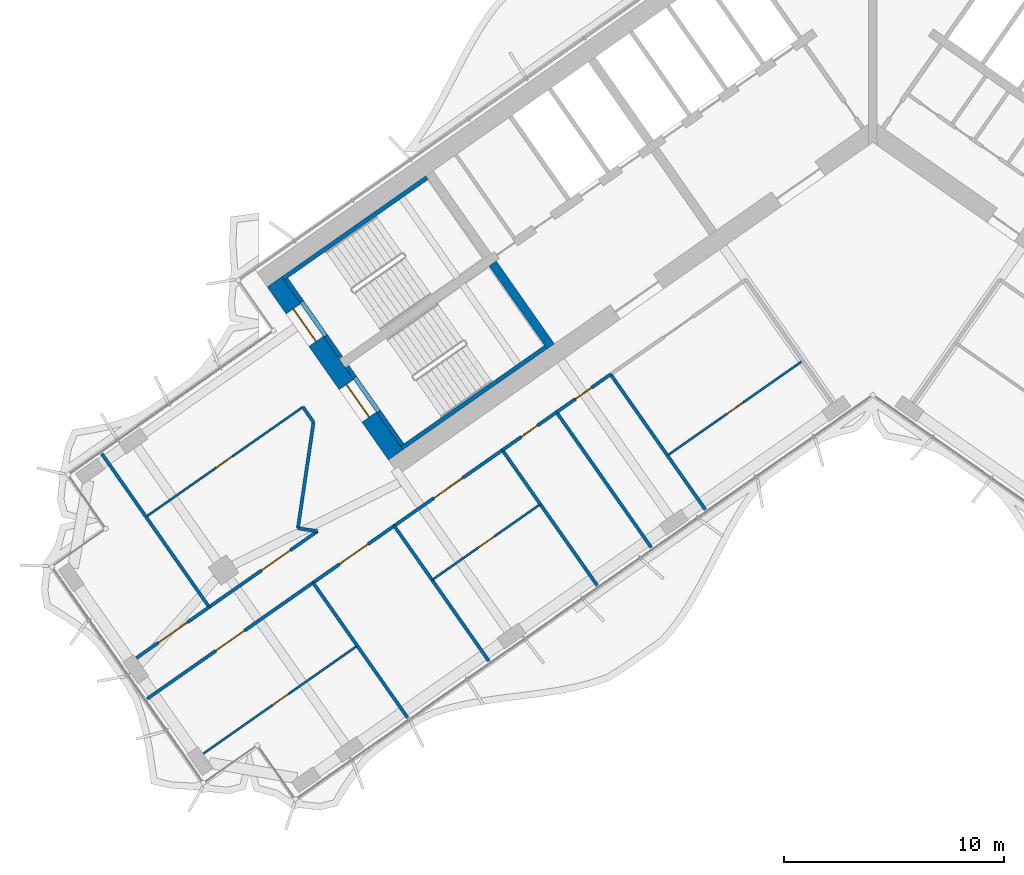
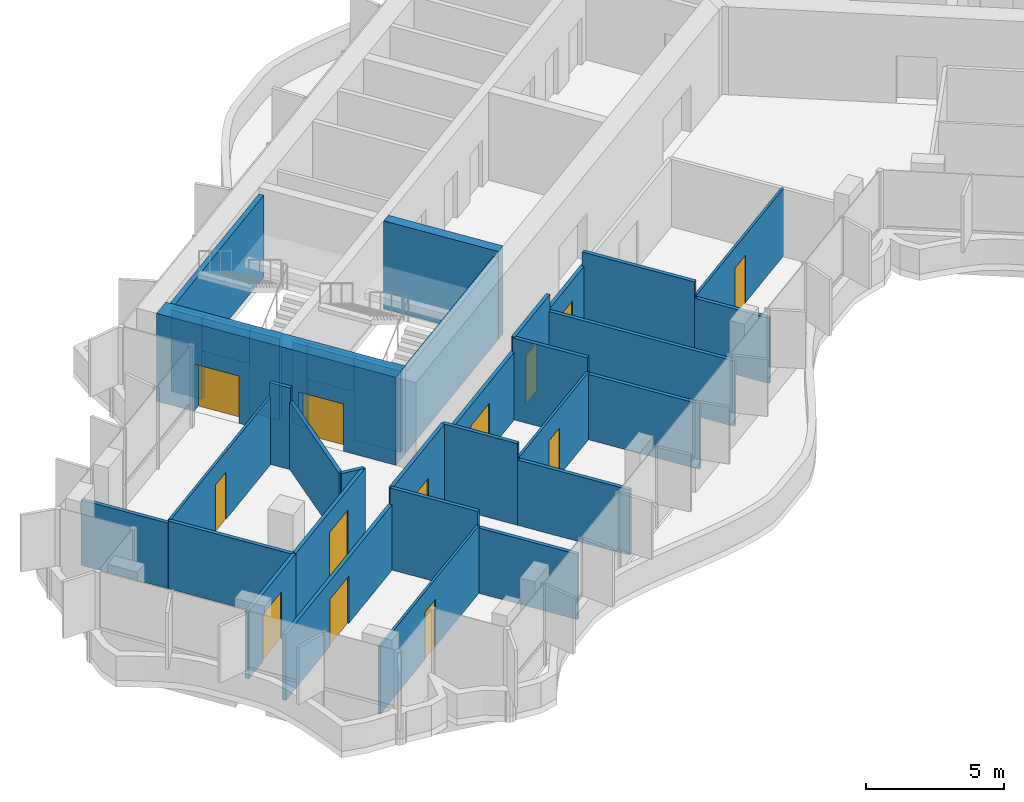
# One storey, part 14 of 23: 35 walls, 13 doors, 13 openings.
"""IFC4 building model written with IfcOpenShell, lengths in metres."""

from ifc_helpers import new_model, si_unit, direction, frame, frame_2d, origin, place, context, subcontext, project, spatial, polyline, rectangle, outline, extrude, material, layer, layer_set, type_object, element, fill, save


model = new_model("IFC4")

# Units and contexts
model_context = context("Model", 3, precision=1e-05, world=origin(), true_north=direction((0.0, 1.0)))
body_context = subcontext(model_context, "Body", "Model", "MODEL_VIEW")
ifc_project = project(units=[si_unit("LENGTHUNIT", "METRE"), si_unit("AREAUNIT", "SQUARE_METRE"), si_unit("VOLUMEUNIT", "CUBIC_METRE"), si_unit("PLANEANGLEUNIT", "RADIAN"), si_unit("MASSUNIT", "GRAM", prefix="KILO")], contexts=[model_context])

# Site, building, storey
site_placement = place(None, origin())
site = spatial("IfcSite", under=ifc_project, at=site_placement, CompositionType="ELEMENT")
building_placement = place(site_placement, origin())
building = spatial("IfcBuilding", under=site, at=building_placement, Name="Tel Ilan Convention Tower", CompositionType="ELEMENT")
storey_placement = place(building_placement, frame((0.0, 0.0, 194.39990234375)))
storey = spatial("IfcBuildingStorey", under=building, at=storey_placement, Name="L45", CompositionType="ELEMENT", Elevation=194.39990234375)

# Wall
ifc_material_1 = material(Name="Concrete C50/60", Category="concrete")
ifc_layer_1 = layer(ifc_material_1, 0.39990234375)
ifc_layer_set_1 = layer_set([ifc_layer_1], Name="Core Shear Wall 400 mm C50/60")
wall_type_1 = type_object("IfcWallType", Name="Core Shear Wall 400 mm C50/60", PredefinedType="SHEAR", material=ifc_layer_set_1)
wall_1_placement = place(storey_placement, frame((-14.6298828125, -10.48828125, 0.0), z_axis=(0.0, 0.0, 1.0), x_axis=(-0.573611936273, 0.819127185829, 0.0)))
element("IfcWall", 1, at=wall_1_placement, inside=storey, type_object=wall_type_1, Name="L45 core wall W-cross2-1", PredefinedType="SHEAR", context=body_context, shape_type="SweptSolid", body=[
    extrude(outline(polyline([(4.60009765625, 0.199951171875), (0.000244140625, 0.2001953125), (0.000244140625, -0.199951171875), (4.60009765625, -0.2001953125), (4.60009765625, 0.199951171875)])), origin(), (0.0, 0.0, 1.0), 3.900146484375),
])

# Wall, openings, doors
ifc_material_2 = material(Name="Concrete C50/60", Category="concrete")
ifc_layer_2 = layer(ifc_material_2, 0.800048828125)
ifc_layer_set_2 = layer_set([ifc_layer_2], Name="Core Shear Wall 800 mm C50/60")
wall_type_2 = type_object("IfcWallType", Name="Core Shear Wall 800 mm C50/60", PredefinedType="SHEAR", material=ifc_layer_set_2)
wall_2_placement = place(storey_placement, frame((-21.6748046875, -15.4208984375, 0.0), z_axis=(0.0, 0.0, 1.0), x_axis=(-0.573581815061, 0.819148278049, 0.0)))
wall_2 = element("IfcWall", 2, at=wall_2_placement, inside=storey, type_object=wall_type_2, Name="L45 core wall W-end", PredefinedType="SHEAR", context=body_context, shape_type="SweptSolid", body=[
    extrude(outline(polyline([(0.0, 0.39990234375), (0.0, -0.39990234375), (9.599853515625, -0.400146484375), (9.599853515625, 0.39990234375), (0.0, 0.39990234375)])), origin(), (0.0, 0.0, 1.0), 3.900146484375),
])
opening_1_placement = place(wall_2_placement, frame((6.300048828125, 0.0, 0.0)))
opening_1 = element("IfcOpeningElement", 3, at=opening_1_placement, cuts=wall_2, Name="Opening SD3501", PredefinedType="OPENING", context=body_context, shape_type="SweptSolid", body=[
    extrude(rectangle(XDim=1.800048828125, YDim=2.10009765625, at=frame_2d((0.89990234375, 1.050048828125))), frame((0.0, 0.409912109375, 0.0), z_axis=(0.0, -1.0, 0.0), x_axis=(1.0, 0.0, 0.0)), (0.0, 0.0, 1.0), 0.820068359375),
])
opening_2_placement = place(wall_2_placement, frame((2.10009765625, 0.0, 0.0)))
opening_2 = element("IfcOpeningElement", 4, at=opening_2_placement, cuts=wall_2, Name="Opening SD3502", PredefinedType="OPENING", context=body_context, shape_type="SweptSolid", body=[
    extrude(rectangle(XDim=1.800048828125, YDim=2.10009765625, at=frame_2d((0.89990234375, 1.050048828125))), frame((0.0, 0.409912109375, 0.0), z_axis=(0.0, -1.0, 0.0), x_axis=(1.0, 0.0, 0.0)), (0.0, 0.0, 1.0), 0.820068359375),
])
ifc_material_3 = material(Name="Galvanised Steel Door Leaf", Category="steel")
door_type_1 = type_object("IfcDoorType", Name="Stair Fire Door 1800 x 2100 FD60S", OperationType="NOTDEFINED", PredefinedType="DOOR", material=ifc_material_3)
door_1_placement = place(opening_1_placement, origin())
door_1 = element("IfcDoor", 5, at=door_1_placement, inside=storey, type_object=door_type_1, Name="Stair S1 door", OperationType="DOUBLE_DOOR_SINGLE_SWING", OverallHeight=2.10009765625, OverallWidth=1.800048828125, PredefinedType="DOOR", context=body_context, shape_type="SweptSolid", body=[
    extrude(rectangle(XDim=1.800048828125, YDim=2.10009765625, at=frame_2d((0.89990234375, 1.050048828125))), frame((0.0, 0.02490234375, 0.0), z_axis=(0.0, -1.0, 0.0), x_axis=(1.0, 0.0, 0.0)), (0.0, 0.0, 1.0), 0.050048828125),
])
fill(opening_1, door_1)
door_2_placement = place(opening_2_placement, origin())
door_2 = element("IfcDoor", 6, at=door_2_placement, inside=storey, type_object=door_type_1, Name="Stair S2 door", OperationType="DOUBLE_DOOR_SINGLE_SWING", OverallHeight=2.10009765625, OverallWidth=1.800048828125, PredefinedType="DOOR", context=body_context, shape_type="SweptSolid", body=[
    extrude(rectangle(XDim=1.800048828125, YDim=2.10009765625, at=frame_2d((0.89990234375, 1.050048828125))), frame((0.0, 0.02490234375, 0.0), z_axis=(0.0, -1.0, 0.0), x_axis=(1.0, 0.0, 0.0)), (0.0, 0.0, 1.0), 0.050048828125),
])
fill(opening_2, door_2)

# Wall, opening, door
ifc_material_4 = material(Name="Plasterboard on Steel Studs", Category="steel")
ifc_layer_3 = layer(ifc_material_4, 0.14990234375)
ifc_layer_set_3 = layer_set([ifc_layer_3], Name="Fire-rated Partition 150 EI 60")
wall_type_3 = type_object("IfcWallType", Name="Fire-rated Partition 150 EI 60", PredefinedType="PARTITIONING", material=ifc_layer_set_3)
wall_3_placement = place(storey_placement, frame((-30.145751953125, -22.330078125, 0.0), z_axis=(0.0, 0.0, 1.0), x_axis=(0.819136512745, 0.573598617056, 0.0)))
wall_3 = element("IfcWall", 7, at=wall_3_placement, inside=storey, type_object=wall_type_3, Name="Partition 007", PredefinedType="PARTITIONING", context=body_context, shape_type="SweptSolid", body=[
    extrude(rectangle(XDim=6.011474609375, YDim=0.14990234375, at=frame_2d((3.005859375, 0.0))), origin(), (0.0, 0.0, 1.0), 3.0),
])
opening_3_placement = place(wall_3_placement, frame((2.90576171875, 0.0, 0.0)))
opening_3 = element("IfcOpeningElement", 8, at=opening_3_placement, cuts=wall_3, Name="Opening L45-010", PredefinedType="OPENING", context=body_context, shape_type="SweptSolid", body=[
    extrude(rectangle(XDim=1.60009765625, YDim=2.10009765625, at=frame_2d((0.800048828125, 1.050048828125))), frame((0.0, 0.0849609375, 0.0), z_axis=(0.0, -1.0, 0.0), x_axis=(1.0, 0.0, 0.0)), (0.0, 0.0, 1.0), 0.169921875),
])
ifc_material_5 = material(Name="Timber Door Leaf in Steel Frame", Category="steel")
door_type_2 = type_object("IfcDoorType", Name="Tenant Suite Entrance Fire Door 1600x2100", OperationType="NOTDEFINED", PredefinedType="DOOR", material=ifc_material_5)
door_3_placement = place(opening_3_placement, origin())
door_3 = element("IfcDoor", 9, at=door_3_placement, inside=storey, type_object=door_type_2, Name="Door L45-010", OperationType="DOUBLE_DOOR_SINGLE_SWING", OverallHeight=2.10009765625, OverallWidth=1.60009765625, PredefinedType="DOOR", context=body_context, shape_type="SweptSolid", body=[
    extrude(rectangle(XDim=1.60009765625, YDim=2.10009765625, at=frame_2d((0.800048828125, 1.050048828125))), frame((0.0, 0.02490234375, 0.0), z_axis=(0.0, -1.0, 0.0), x_axis=(1.0, 0.0, 0.0)), (0.0, 0.0, 1.0), 0.050048828125),
])
fill(opening_3, door_3)

wall_4_placement = place(storey_placement, frame((-33.4453125, -24.640380859375, 0.0), z_axis=(0.0, 0.0, 1.0), x_axis=(0.819163639968, 0.573559875649, 0.0)))
wall_4 = element("IfcWall", 10, at=wall_4_placement, inside=storey, type_object=wall_type_3, Name="Partition 008", PredefinedType="PARTITIONING", context=body_context, shape_type="SweptSolid", body=[
    extrude(rectangle(XDim=4.03173828125, YDim=0.14990234375, at=frame_2d((2.015869140625, 0.0))), origin(), (0.0, 0.0, 1.0), 3.0),
])
opening_4_placement = place(wall_4_placement, frame((1.2158203125, 0.0, 0.0)))
opening_4 = element("IfcOpeningElement", 11, at=opening_4_placement, cuts=wall_4, Name="Opening L45-012", PredefinedType="OPENING", context=body_context, shape_type="SweptSolid", body=[
    extrude(rectangle(XDim=1.60009765625, YDim=2.10009765625, at=frame_2d((0.800048828125, 1.050048828125))), frame((0.0, 0.0849609375, 0.0), z_axis=(0.0, -1.0, 0.0), x_axis=(1.0, 0.0, 0.0)), (0.0, 0.0, 1.0), 0.169921875),
])
door_4_placement = place(opening_4_placement, origin())
door_4 = element("IfcDoor", 12, at=door_4_placement, inside=storey, type_object=door_type_2, Name="Door L45-012", OperationType="DOUBLE_DOOR_SINGLE_SWING", OverallHeight=2.10009765625, OverallWidth=1.60009765625, PredefinedType="DOOR", context=body_context, shape_type="SweptSolid", body=[
    extrude(rectangle(XDim=1.60009765625, YDim=2.10009765625, at=frame_2d((0.800048828125, 1.050048828125))), frame((0.0, 0.02490234375, 0.0), z_axis=(0.0, -1.0, 0.0), x_axis=(1.0, 0.0, 0.0)), (0.0, 0.0, 1.0), 0.050048828125),
])
fill(opening_4, door_4)

wall_5_placement = place(storey_placement, frame((-11.908447265625, -11.756591796875, 0.0), z_axis=(0.0, 0.0, 1.0), x_axis=(-0.81916700466, -0.573555070134, 0.0)))
wall_5 = element("IfcWall", 13, at=wall_5_placement, inside=storey, type_object=wall_type_3, Name="Partition 010", PredefinedType="PARTITIONING", context=body_context, shape_type="SweptSolid", body=[
    extrude(rectangle(XDim=3.00390625, YDim=0.14990234375, at=frame_2d((1.501953125, 0.0))), origin(), (0.0, 0.0, 1.0), 3.0),
])
opening_5_placement = place(wall_5_placement, frame((1.052001953125, 0.0, 0.0)))
opening_5 = element("IfcOpeningElement", 14, at=opening_5_placement, cuts=wall_5, Name="Opening L45-003", PredefinedType="OPENING", context=body_context, shape_type="SweptSolid", body=[
    extrude(rectangle(XDim=0.89990234375, YDim=2.10009765625, at=frame_2d((0.449951171875, 1.050048828125))), frame((0.0, 0.0849609375, 0.0), z_axis=(0.0, -1.0, 0.0), x_axis=(1.0, 0.0, 0.0)), (0.0, 0.0, 1.0), 0.169921875),
])
ifc_material_6 = material(Name="Timber Door Leaf in Steel Frame", Category="steel")
door_type_3 = type_object("IfcDoorType", Name="Room Fire Door 900x2100", OperationType="NOTDEFINED", PredefinedType="DOOR", material=ifc_material_6)
door_5_placement = place(opening_5_placement, origin())
door_5 = element("IfcDoor", 15, at=door_5_placement, inside=storey, type_object=door_type_3, Name="Door L45-003", OperationType="SINGLE_SWING_RIGHT", OverallHeight=2.10009765625, OverallWidth=0.89990234375, PredefinedType="DOOR", context=body_context, shape_type="SweptSolid", body=[
    extrude(rectangle(XDim=0.89990234375, YDim=2.10009765625, at=frame_2d((0.449951171875, 1.050048828125))), frame((0.0, 0.02490234375, 0.0), z_axis=(0.0, -1.0, 0.0), x_axis=(1.0, 0.0, 0.0)), (0.0, 0.0, 1.0), 0.050048828125),
])
fill(opening_5, door_5)

wall_6_placement = place(storey_placement, frame((-14.36572265625, -13.477294921875, 0.0), z_axis=(0.0, 0.0, 1.0), x_axis=(-0.81916700466, -0.573555070134, 0.0)))
wall_6 = element("IfcWall", 16, at=wall_6_placement, inside=storey, type_object=wall_type_3, Name="Partition 011", PredefinedType="PARTITIONING", context=body_context, shape_type="SweptSolid", body=[
    extrude(rectangle(XDim=3.00390625, YDim=0.14990234375, at=frame_2d((1.501953125, 0.0))), origin(), (0.0, 0.0, 1.0), 3.6201171875),
])
opening_6_placement = place(wall_6_placement, frame((1.052001953125, 0.0, 0.0)))
opening_6 = element("IfcOpeningElement", 17, at=opening_6_placement, cuts=wall_6, Name="Opening L45-004", PredefinedType="OPENING", context=body_context, shape_type="SweptSolid", body=[
    extrude(rectangle(XDim=0.89990234375, YDim=2.10009765625, at=frame_2d((0.449951171875, 1.050048828125))), frame((0.0, 0.0849609375, 0.0), z_axis=(0.0, -1.0, 0.0), x_axis=(1.0, 0.0, 0.0)), (0.0, 0.0, 1.0), 0.169921875),
])
door_6_placement = place(opening_6_placement, origin())
door_6 = element("IfcDoor", 18, at=door_6_placement, inside=storey, type_object=door_type_3, Name="Door L45-004", OperationType="SINGLE_SWING_LEFT", OverallHeight=2.10009765625, OverallWidth=0.89990234375, PredefinedType="DOOR", context=body_context, shape_type="SweptSolid", body=[
    extrude(rectangle(XDim=0.89990234375, YDim=2.10009765625, at=frame_2d((0.449951171875, 1.050048828125))), frame((0.0, 0.02490234375, 0.0), z_axis=(0.0, -1.0, 0.0), x_axis=(1.0, 0.0, 0.0)), (0.0, 0.0, 1.0), 0.050048828125),
])
fill(opening_6, door_6)

wall_7_placement = place(storey_placement, frame((-16.8232421875, -15.197998046875, 0.0), z_axis=(0.0, 0.0, 1.0), x_axis=(-0.819165052243, -0.573557858619, 0.0)))
wall_7 = element("IfcWall", 19, at=wall_7_placement, inside=storey, type_object=wall_type_3, Name="Partition 012", PredefinedType="PARTITIONING", context=body_context, shape_type="SweptSolid", body=[
    extrude(rectangle(XDim=6.00390625, YDim=0.14990234375, at=frame_2d((3.001953125, 0.0))), origin(), (0.0, 0.0, 1.0), 3.0),
])
opening_7_placement = place(wall_7_placement, frame((2.201904296875, 0.0, 0.0)))
opening_7 = element("IfcOpeningElement", 20, at=opening_7_placement, cuts=wall_7, Name="Opening L45-005", PredefinedType="OPENING", context=body_context, shape_type="SweptSolid", body=[
    extrude(rectangle(XDim=1.60009765625, YDim=2.10009765625, at=frame_2d((0.800048828125, 1.050048828125))), frame((0.0, 0.0849609375, 0.0), z_axis=(0.0, -1.0, 0.0), x_axis=(1.0, 0.0, 0.0)), (0.0, 0.0, 1.0), 0.169921875),
])
door_7_placement = place(opening_7_placement, origin())
door_7 = element("IfcDoor", 21, at=door_7_placement, inside=storey, type_object=door_type_2, Name="Door L45-005", OperationType="DOUBLE_DOOR_SINGLE_SWING", OverallHeight=2.10009765625, OverallWidth=1.60009765625, PredefinedType="DOOR", context=body_context, shape_type="SweptSolid", body=[
    extrude(rectangle(XDim=1.60009765625, YDim=2.10009765625, at=frame_2d((0.800048828125, 1.050048828125))), frame((0.0, 0.02490234375, 0.0), z_axis=(0.0, -1.0, 0.0), x_axis=(1.0, 0.0, 0.0)), (0.0, 0.0, 1.0), 0.050048828125),
])
fill(opening_7, door_7)

wall_8_placement = place(storey_placement, frame((-21.73828125, -18.639404296875, 0.0), z_axis=(0.0, 0.0, 1.0), x_axis=(-0.81912240011, -0.573618770298, 0.0)))
wall_8 = element("IfcWall", 22, at=wall_8_placement, inside=storey, type_object=wall_type_3, Name="Partition 013", PredefinedType="PARTITIONING", context=body_context, shape_type="SweptSolid", body=[
    extrude(rectangle(XDim=4.50390625, YDim=0.14990234375, at=frame_2d((2.251953125, 0.0))), origin(), (0.0, 0.0, 1.0), 3.6201171875),
])
opening_8_placement = place(wall_8_placement, frame((1.451904296875, 0.0, 0.0)))
opening_8 = element("IfcOpeningElement", 23, at=opening_8_placement, cuts=wall_8, Name="Opening L45-007", PredefinedType="OPENING", context=body_context, shape_type="SweptSolid", body=[
    extrude(rectangle(XDim=1.60009765625, YDim=2.10009765625, at=frame_2d((0.800048828125, 1.050048828125))), frame((0.0, 0.0849609375, 0.0), z_axis=(0.0, -1.0, 0.0), x_axis=(1.0, 0.0, 0.0)), (0.0, 0.0, 1.0), 0.169921875),
])
door_8_placement = place(opening_8_placement, origin())
door_8 = element("IfcDoor", 24, at=door_8_placement, inside=storey, type_object=door_type_2, Name="Door L45-007", OperationType="DOUBLE_DOOR_SINGLE_SWING", OverallHeight=2.10009765625, OverallWidth=1.60009765625, PredefinedType="DOOR", context=body_context, shape_type="SweptSolid", body=[
    extrude(rectangle(XDim=1.60009765625, YDim=2.10009765625, at=frame_2d((0.800048828125, 1.050048828125))), frame((0.0, 0.02490234375, 0.0), z_axis=(0.0, -1.0, 0.0), x_axis=(1.0, 0.0, 0.0)), (0.0, 0.0, 1.0), 0.050048828125),
])
fill(opening_8, door_8)

wall_9_placement = place(storey_placement, frame((-25.42431640625, -21.220458984375, 0.0), z_axis=(0.0, 0.0, 1.0), x_axis=(-0.81915089424, -0.573578078788, 0.0)))
wall_9 = element("IfcWall", 25, at=wall_9_placement, inside=storey, type_object=wall_type_3, Name="Partition 014", PredefinedType="PARTITIONING", context=body_context, shape_type="SweptSolid", body=[
    extrude(rectangle(XDim=9.201904296875, YDim=0.14990234375, at=frame_2d((4.60107421875, 0.0))), origin(), (0.0, 0.0, 1.0), 2.900146484375),
])
opening_9_placement = place(wall_9_placement, frame((3.801025390625, 0.0, 0.0)))
opening_9 = element("IfcOpeningElement", 26, at=opening_9_placement, cuts=wall_9, Name="Opening L45-008", PredefinedType="OPENING", context=body_context, shape_type="SweptSolid", body=[
    extrude(rectangle(XDim=1.60009765625, YDim=2.10009765625, at=frame_2d((0.800048828125, 1.050048828125))), frame((0.0, 0.0849609375, 0.0), z_axis=(0.0, -1.0, 0.0), x_axis=(1.0, 0.0, 0.0)), (0.0, 0.0, 1.0), 0.169921875),
])
door_9_placement = place(opening_9_placement, origin())
door_9 = element("IfcDoor", 27, at=door_9_placement, inside=storey, type_object=door_type_2, Name="Door L45-008", OperationType="DOUBLE_DOOR_SINGLE_SWING", OverallHeight=2.10009765625, OverallWidth=1.60009765625, PredefinedType="DOOR", context=body_context, shape_type="SweptSolid", body=[
    extrude(rectangle(XDim=1.60009765625, YDim=2.10009765625, at=frame_2d((0.800048828125, 1.050048828125))), frame((0.0, 0.02490234375, 0.0), z_axis=(0.0, -1.0, 0.0), x_axis=(1.0, 0.0, 0.0)), (0.0, 0.0, 1.0), 0.050048828125),
])
fill(opening_9, door_9)

# Walls
wall_10_placement = place(storey_placement, frame((-25.221435546875, -18.8828125, 0.0), z_axis=(0.0, 0.0, 1.0), x_axis=(-0.989300612726, 0.145891389948, 0.0)))
element("IfcWall", 28, at=wall_10_placement, inside=storey, type_object=wall_type_3, Name="Partition 034", PredefinedType="PARTITIONING", context=body_context, shape_type="SweptSolid", body=[
    extrude(rectangle(XDim=0.902099609375, YDim=0.14990234375, at=frame_2d((0.451171875, 0.0))), origin(), (0.0, 0.0, 1.0), 3.0),
])
wall_11_placement = place(storey_placement, frame((-26.11376953125, -18.751220703125, 0.0), z_axis=(0.0, 0.0, 1.0), x_axis=(0.145889309857, 0.989300919473, 0.0)))
element("IfcWall", 29, at=wall_11_placement, inside=storey, type_object=wall_type_3, Name="Partition 035", PredefinedType="PARTITIONING", context=body_context, shape_type="SweptSolid", body=[
    extrude(rectangle(XDim=4.871337890625, YDim=0.14990234375, at=frame_2d((2.435546875, 0.0))), origin(), (0.0, 0.0, 1.0), 3.0),
])
wall_12_placement = place(storey_placement, frame((-25.403076171875, -13.931884765625, 0.0), z_axis=(0.0, 0.0, 1.0), x_axis=(-0.573520604239, 0.819191135519, 0.0)))
element("IfcWall", 30, at=wall_12_placement, inside=storey, type_object=wall_type_3, Name="Partition 036", PredefinedType="PARTITIONING", context=body_context, shape_type="SweptSolid", body=[
    extrude(rectangle(XDim=0.84375, YDim=0.14990234375, at=frame_2d((0.421875, 0.0))), origin(), (0.0, 0.0, 1.0), 3.6201171875),
])
wall_13_placement = place(storey_placement, frame((-33.01318359375, -18.231689453125, 0.0), z_axis=(0.0, 0.0, 1.0), x_axis=(-0.573555999232, 0.819166354134, 0.0)))
element("IfcWall", 31, at=wall_13_placement, inside=storey, type_object=wall_type_3, Name="Partition 038", PredefinedType="PARTITIONING", context=body_context, shape_type="SweptSolid", body=[
    extrude(rectangle(XDim=3.4990234375, YDim=0.14990234375, at=frame_2d((1.74951171875, 0.0))), origin(), (0.0, 0.0, 1.0), 2.900146484375),
])
wall_14_placement = place(storey_placement, frame((-30.14453125, -22.328369140625, 0.0), z_axis=(0.0, 0.0, 1.0), x_axis=(-0.573563925118, 0.819160804606, 0.0)))
element("IfcWall", 32, at=wall_14_placement, inside=storey, type_object=wall_type_3, Name="Partition 039", PredefinedType="PARTITIONING", context=body_context, shape_type="SweptSolid", body=[
    extrude(rectangle(XDim=5.000244140625, YDim=0.14990234375, at=frame_2d((2.5, 0.0))), origin(), (0.0, 0.0, 1.0), 3.0),
])
wall_15_placement = place(storey_placement, frame((-7.608154296875, -17.9013671875, 0.0), z_axis=(0.0, 0.0, 1.0), x_axis=(-0.573566142353, 0.819159252128, 0.0)))
element("IfcWall", 33, at=wall_15_placement, inside=storey, type_object=wall_type_3, Name="Partition 041", PredefinedType="PARTITIONING", context=body_context, shape_type="SweptSolid", body=[
    extrude(rectangle(XDim=2.999267578125, YDim=0.14990234375, at=frame_2d((1.49951171875, 0.0))), origin(), (0.0, 0.0, 1.0), 2.900146484375),
])
wall_16_placement = place(storey_placement, frame((-9.328857421875, -15.44384765625, 0.0), z_axis=(0.0, 0.0, 1.0), x_axis=(-0.573560650686, 0.819163097304, 0.0)))
element("IfcWall", 34, at=wall_16_placement, inside=storey, type_object=wall_type_3, Name="Partition 042", PredefinedType="PARTITIONING", context=body_context, shape_type="SweptSolid", body=[
    extrude(rectangle(XDim=4.5, YDim=0.14990234375, at=frame_2d((2.25, 0.0))), origin(), (0.0, 0.0, 1.0), 3.6201171875),
])
wall_17_placement = place(storey_placement, frame((-10.065673828125, -19.6220703125, 0.0), z_axis=(0.0, 0.0, 1.0), x_axis=(-0.573575945067, 0.81915238829, 0.0)))
element("IfcWall", 35, at=wall_17_placement, inside=storey, type_object=wall_type_3, Name="Partition 043", PredefinedType="PARTITIONING", context=body_context, shape_type="SweptSolid", body=[
    extrude(rectangle(XDim=7.5, YDim=0.14990234375, at=frame_2d((3.75, 0.0))), origin(), (0.0, 0.0, 1.0), 2.900146484375),
])
wall_18_placement = place(storey_placement, frame((-12.523193359375, -21.3427734375, 0.0), z_axis=(0.0, 0.0, 1.0), x_axis=(-0.573556991349, 0.819165659482, 0.0)))
element("IfcWall", 36, at=wall_18_placement, inside=storey, type_object=wall_type_3, Name="Partition 044", PredefinedType="PARTITIONING", context=body_context, shape_type="SweptSolid", body=[
    extrude(rectangle(XDim=4.5009765625, YDim=0.14990234375, at=frame_2d((2.25048828125, 0.0))), origin(), (0.0, 0.0, 1.0), 2.900146484375),
])
wall_19_placement = place(storey_placement, frame((-15.10302734375, -17.658203125, 0.0), z_axis=(0.0, 0.0, 1.0), x_axis=(-0.573604249862, 0.819132568355, 0.0)))
element("IfcWall", 37, at=wall_19_placement, inside=storey, type_object=wall_type_3, Name="Partition 045", PredefinedType="PARTITIONING", context=body_context, shape_type="SweptSolid", body=[
    extrude(rectangle(XDim=3.001953125, YDim=0.14990234375, at=frame_2d((1.5009765625, 0.0))), origin(), (0.0, 0.0, 1.0), 3.6201171875),
])
wall_20_placement = place(storey_placement, frame((-17.43798828125, -24.7841796875, 0.0), z_axis=(0.0, 0.0, 1.0), x_axis=(-0.573589807488, 0.819142681555, 0.0)))
element("IfcWall", 38, at=wall_20_placement, inside=storey, type_object=wall_type_3, Name="Partition 047", PredefinedType="PARTITIONING", context=body_context, shape_type="SweptSolid", body=[
    extrude(rectangle(XDim=4.4990234375, YDim=0.14990234375, at=frame_2d((2.24951171875, 0.0))), origin(), (0.0, 0.0, 1.0), 2.900146484375),
])
wall_21_placement = place(storey_placement, frame((-20.01904296875, -21.097900390625, 0.0), z_axis=(0.0, 0.0, 1.0), x_axis=(-0.573598887793, 0.819136323161, 0.0)))
element("IfcWall", 39, at=wall_21_placement, inside=storey, type_object=wall_type_3, Name="Partition 048", PredefinedType="PARTITIONING", context=body_context, shape_type="SweptSolid", body=[
    extrude(rectangle(XDim=2.999755859375, YDim=0.14990234375, at=frame_2d((1.5, 0.0))), origin(), (0.0, 0.0, 1.0), 3.6201171875),
])
wall_22_placement = place(storey_placement, frame((-21.124267578125, -27.365234375, 0.0), z_axis=(0.0, 0.0, 1.0), x_axis=(-0.573593387921, 0.81914017441, 0.0)))
element("IfcWall", 40, at=wall_22_placement, inside=storey, type_object=wall_type_3, Name="Partition 049", PredefinedType="PARTITIONING", context=body_context, shape_type="SweptSolid", body=[
    extrude(rectangle(XDim=4.0009765625, YDim=0.14990234375, at=frame_2d((2.00048828125, 0.0))), origin(), (0.0, 0.0, 1.0), 2.900146484375),
])
wall_23_placement = place(storey_placement, frame((-23.417236328125, -24.09033203125, 0.0), z_axis=(0.0, 0.0, 1.0), x_axis=(-0.573602698703, 0.819133654565, 0.0)))
element("IfcWall", 41, at=wall_23_placement, inside=storey, type_object=wall_type_3, Name="Partition 050", PredefinedType="PARTITIONING", context=body_context, shape_type="SweptSolid", body=[
    extrude(rectangle(XDim=3.501953125, YDim=0.14990234375, at=frame_2d((1.7509765625, 0.0))), origin(), (0.0, 0.0, 1.0), 3.6201171875),
])

# Wall, opening, door
ifc_material_7 = material(Name="Plasterboard on Steel Studs", Category="steel")
ifc_layer_4 = layer(ifc_material_7, 0.10009765625)
ifc_layer_set_4 = layer_set([ifc_layer_4], Name="Plasterboard Partition 100")
wall_type_4 = type_object("IfcWallType", Name="Plasterboard Partition 100", PredefinedType="PARTITIONING", material=ifc_layer_set_4)
wall_24_placement = place(storey_placement, frame((-33.01318359375, -18.231689453125, 0.0), z_axis=(0.0, 0.0, 1.0), x_axis=(0.819151510326, 0.573577198928, 0.0)))
wall_24 = element("IfcWall", 42, at=wall_24_placement, inside=storey, type_object=wall_type_4, Name="Partition 037", PredefinedType="PARTITIONING", context=body_context, shape_type="SweptSolid", body=[
    extrude(rectangle(XDim=8.701904296875, YDim=0.10009765625, at=frame_2d((4.35107421875, 0.0))), origin(), (0.0, 0.0, 1.0), 3.0),
])
opening_10_placement = place(wall_24_placement, frame((3.90087890625, 0.0, 0.0)))
opening_10 = element("IfcOpeningElement", 43, at=opening_10_placement, cuts=wall_24, Name="Opening L45-011", PredefinedType="OPENING", context=body_context, shape_type="SweptSolid", body=[
    extrude(rectangle(XDim=0.89990234375, YDim=2.10009765625, at=frame_2d((0.449951171875, 1.050048828125))), frame((0.0, 0.06005859375, 0.0), z_axis=(0.0, -1.0, 0.0), x_axis=(1.0, 0.0, 0.0)), (0.0, 0.0, 1.0), 0.1201171875),
])
ifc_material_8 = material(Name="Timber Door Leaf in Steel Frame", Category="steel")
door_type_4 = type_object("IfcDoorType", Name="Room Timber Door 900x2100", OperationType="NOTDEFINED", PredefinedType="DOOR", material=ifc_material_8)
door_10_placement = place(opening_10_placement, origin())
door_10 = element("IfcDoor", 44, at=door_10_placement, inside=storey, type_object=door_type_4, Name="Door L45-011", OperationType="SINGLE_SWING_LEFT", OverallHeight=2.10009765625, OverallWidth=0.89990234375, PredefinedType="DOOR", context=body_context, shape_type="SweptSolid", body=[
    extrude(rectangle(XDim=0.89990234375, YDim=2.10009765625, at=frame_2d((0.449951171875, 1.050048828125))), frame((0.0, 0.02490234375, 0.0), z_axis=(0.0, -1.0, 0.0), x_axis=(1.0, 0.0, 0.0)), (0.0, 0.0, 1.0), 0.050048828125),
])
fill(opening_10, door_10)

wall_25_placement = place(storey_placement, frame((-3.184814453125, -11.142822265625, 0.0), z_axis=(0.0, 0.0, 1.0), x_axis=(-0.81915238829, -0.573575945067, 0.0)))
wall_25 = element("IfcWall", 45, at=wall_25_placement, inside=storey, type_object=wall_type_4, Name="Partition 040", PredefinedType="PARTITIONING", context=body_context, shape_type="SweptSolid", body=[
    extrude(rectangle(XDim=7.5, YDim=0.10009765625, at=frame_2d((3.75, 0.0))), origin(), (0.0, 0.0, 1.0), 3.0),
])
opening_11_placement = place(wall_25_placement, frame((3.300048828125, 0.0, 0.0)))
opening_11 = element("IfcOpeningElement", 46, at=opening_11_placement, cuts=wall_25, Name="Opening L45-002", PredefinedType="OPENING", context=body_context, shape_type="SweptSolid", body=[
    extrude(rectangle(XDim=0.89990234375, YDim=2.10009765625, at=frame_2d((0.449951171875, 1.050048828125))), frame((0.0, 0.06005859375, 0.0), z_axis=(0.0, -1.0, 0.0), x_axis=(1.0, 0.0, 0.0)), (0.0, 0.0, 1.0), 0.1201171875),
])
door_11_placement = place(opening_11_placement, origin())
door_11 = element("IfcDoor", 47, at=door_11_placement, inside=storey, type_object=door_type_4, Name="Door L45-002", OperationType="SINGLE_SWING_RIGHT", OverallHeight=2.10009765625, OverallWidth=0.89990234375, PredefinedType="DOOR", context=body_context, shape_type="SweptSolid", body=[
    extrude(rectangle(XDim=0.89990234375, YDim=2.10009765625, at=frame_2d((0.449951171875, 1.050048828125))), frame((0.0, 0.02490234375, 0.0), z_axis=(0.0, -1.0, 0.0), x_axis=(1.0, 0.0, 0.0)), (0.0, 0.0, 1.0), 0.050048828125),
])
fill(opening_11, door_11)

wall_26_placement = place(storey_placement, frame((-15.103515625, -17.657470703125, 0.0), z_axis=(0.0, 0.0, 1.0), x_axis=(-0.819163097304, -0.573560650686, 0.0)))
wall_26 = element("IfcWall", 48, at=wall_26_placement, inside=storey, type_object=wall_type_4, Name="Partition 046", PredefinedType="PARTITIONING", context=body_context, shape_type="SweptSolid", body=[
    extrude(rectangle(XDim=6.0, YDim=0.10009765625, at=frame_2d((3.0, 0.0))), origin(), (0.0, 0.0, 1.0), 3.0),
])
opening_12_placement = place(wall_26_placement, frame((2.550048828125, 0.0, 0.0)))
opening_12 = element("IfcOpeningElement", 49, at=opening_12_placement, cuts=wall_26, Name="Opening L45-006", PredefinedType="OPENING", context=body_context, shape_type="SweptSolid", body=[
    extrude(rectangle(XDim=0.89990234375, YDim=2.10009765625, at=frame_2d((0.449951171875, 1.050048828125))), frame((0.0, 0.06005859375, 0.0), z_axis=(0.0, -1.0, 0.0), x_axis=(1.0, 0.0, 0.0)), (0.0, 0.0, 1.0), 0.1201171875),
])
door_12_placement = place(opening_12_placement, origin())
door_12 = element("IfcDoor", 50, at=door_12_placement, inside=storey, type_object=door_type_4, Name="Door L45-006", OperationType="SINGLE_SWING_RIGHT", OverallHeight=2.10009765625, OverallWidth=0.89990234375, PredefinedType="DOOR", context=body_context, shape_type="SweptSolid", body=[
    extrude(rectangle(XDim=0.89990234375, YDim=2.10009765625, at=frame_2d((0.449951171875, 1.050048828125))), frame((0.0, 0.02490234375, 0.0), z_axis=(0.0, -1.0, 0.0), x_axis=(1.0, 0.0, 0.0)), (0.0, 0.0, 1.0), 0.050048828125),
])
fill(opening_12, door_12)

wall_27_placement = place(storey_placement, frame((-23.41796875, -24.089599609375, 0.0), z_axis=(0.0, 0.0, 1.0), x_axis=(-0.819151233973, -0.5735775936, 0.0)))
wall_27 = element("IfcWall", 51, at=wall_27_placement, inside=storey, type_object=wall_type_4, Name="Partition 051", PredefinedType="PARTITIONING", context=body_context, shape_type="SweptSolid", body=[
    extrude(rectangle(XDim=8.530029296875, YDim=0.10009765625, at=frame_2d((4.26513671875, 0.0))), origin(), (0.0, 0.0, 1.0), 3.0),
])
opening_13_placement = place(wall_27_placement, frame((3.81494140625, 0.0, 0.0)))
opening_13 = element("IfcOpeningElement", 52, at=opening_13_placement, cuts=wall_27, Name="Opening L45-009", PredefinedType="OPENING", context=body_context, shape_type="SweptSolid", body=[
    extrude(rectangle(XDim=0.89990234375, YDim=2.10009765625, at=frame_2d((0.449951171875, 1.050048828125))), frame((0.0, 0.06005859375, 0.0), z_axis=(0.0, -1.0, 0.0), x_axis=(1.0, 0.0, 0.0)), (0.0, 0.0, 1.0), 0.1201171875),
])
door_13_placement = place(opening_13_placement, origin())
door_13 = element("IfcDoor", 53, at=door_13_placement, inside=storey, type_object=door_type_4, Name="Door L45-009", OperationType="SINGLE_SWING_RIGHT", OverallHeight=2.10009765625, OverallWidth=0.89990234375, PredefinedType="DOOR", context=body_context, shape_type="SweptSolid", body=[
    extrude(rectangle(XDim=0.89990234375, YDim=2.10009765625, at=frame_2d((0.449951171875, 1.050048828125))), frame((0.0, 0.02490234375, 0.0), z_axis=(0.0, -1.0, 0.0), x_axis=(1.0, 0.0, 0.0)), (0.0, 0.0, 1.0), 0.050048828125),
])
fill(opening_13, door_13)

# Walls
ifc_material_9 = material(Name="Concrete C30/37", Category="concrete")
ifc_layer_5 = layer(ifc_material_9, 0.199951171875)
ifc_layer_set_5 = layer_set([ifc_layer_5], Name="Stair and Shaft Lining Wall 200 mm C30/37")
wall_type_5 = type_object("IfcWallType", Name="Stair and Shaft Lining Wall 200 mm C30/37", PredefinedType="SOLIDWALL", material=ifc_layer_set_5)
wall_28_placement = place(storey_placement, frame((-20.242919921875, -2.821044921875, 0.0), z_axis=(0.0, 0.0, 1.0), x_axis=(-0.819141584393, -0.57359137434, 0.0)))
element("IfcWall", 54, at=wall_28_placement, inside=storey, type_object=wall_type_5, Name="L45 core wall lining-S1-t1", PredefinedType="SOLIDWALL", context=body_context, shape_type="SweptSolid", body=[
    extrude(rectangle(XDim=7.999755859375, YDim=0.199951171875, at=frame_2d((4.0, 0.0))), origin(), (0.0, 0.0, 1.0), 3.6201171875),
])
wall_29_placement = place(storey_placement, frame((-24.16162109375, -10.99755859375, 0.0), z_axis=(0.0, 0.0, 1.0), x_axis=(-0.573612502218, 0.819126789514, 0.0)))
element("IfcWall", 55, at=wall_29_placement, inside=storey, type_object=wall_type_5, Name="L45 core wall lining-S1-u1-0", PredefinedType="SOLIDWALL", context=body_context, shape_type="SweptSolid", body=[
    extrude(rectangle(XDim=1.2001953125, YDim=0.199951171875, at=frame_2d((0.60009765625, 0.0))), origin(), (0.0, 0.0, 1.0), 3.6201171875),
])
wall_30_placement = place(storey_placement, frame((-25.939697265625, -8.4580078125, 0.0), z_axis=(0.0, 0.0, 1.0), x_axis=(-0.573619628835, 0.819121798889, 0.0)))
element("IfcWall", 56, at=wall_30_placement, inside=storey, type_object=wall_type_5, Name="L45 core wall lining-S1-u1-1", PredefinedType="SOLIDWALL", context=body_context, shape_type="SweptSolid", body=[
    extrude(rectangle(XDim=1.25, YDim=0.199951171875, at=frame_2d((0.625, 0.0))), origin(), (0.0, 0.0, 1.0), 3.6201171875),
])
wall_31_placement = place(storey_placement, frame((-24.85009765625, -10.014404296875, 2.150146484375), z_axis=(0.0, 0.0, 1.0), x_axis=(-0.573505465124, 0.819201734296, 0.0)))
element("IfcWall", 57, at=wall_31_placement, inside=storey, type_object=wall_type_5, Name="L45 core wall lining-S1-u1-lintel", PredefinedType="SOLIDWALL", context=body_context, shape_type="SweptSolid", body=[
    extrude(rectangle(XDim=1.89990234375, YDim=0.199951171875, at=frame_2d((0.949951171875, 0.0))), origin(), (0.0, 0.0, 1.0), 1.469970703125),
])
wall_32_placement = place(storey_placement, frame((-14.851318359375, -10.52099609375, 0.0), z_axis=(0.0, 0.0, 1.0), x_axis=(-0.819141584393, -0.57359137434, 0.0)))
element("IfcWall", 58, at=wall_32_placement, inside=storey, type_object=wall_type_5, Name="L45 core wall lining-S2-t0", PredefinedType="SOLIDWALL", context=body_context, shape_type="SweptSolid", body=[
    extrude(rectangle(XDim=7.999755859375, YDim=0.199951171875, at=frame_2d((4.0, 0.0))), origin(), (0.0, 0.0, 1.0), 3.6201171875),
])
wall_33_placement = place(storey_placement, frame((-21.3798828125, -14.97021484375, 0.0), z_axis=(0.0, 0.0, 1.0), x_axis=(-0.573559770908, 0.819163713305, 0.0)))
element("IfcWall", 59, at=wall_33_placement, inside=storey, type_object=wall_type_5, Name="L45 core wall lining-S2-u1-0", PredefinedType="SOLIDWALL", context=body_context, shape_type="SweptSolid", body=[
    extrude(rectangle(XDim=1.849853515625, YDim=0.199951171875, at=frame_2d((0.9248046875, 0.0))), origin(), (0.0, 0.0, 1.0), 3.6201171875),
])
wall_34_placement = place(storey_placement, frame((-23.53076171875, -11.8984375, 0.0), z_axis=(0.0, 0.0, 1.0), x_axis=(-0.573708088123, 0.819059844958, 0.0)))
element("IfcWall", 60, at=wall_34_placement, inside=storey, type_object=wall_type_5, Name="L45 core wall lining-S2-u1-1", PredefinedType="SOLIDWALL", context=body_context, shape_type="SweptSolid", body=[
    extrude(rectangle(XDim=0.60009765625, YDim=0.199951171875, at=frame_2d((0.300048828125, 0.0))), origin(), (0.0, 0.0, 1.0), 3.6201171875),
])
wall_35_placement = place(storey_placement, frame((-22.44091796875, -13.454833984375, 2.150146484375), z_axis=(0.0, 0.0, 1.0), x_axis=(-0.573591692345, 0.819141361715, 0.0)))
element("IfcWall", 61, at=wall_35_placement, inside=storey, type_object=wall_type_5, Name="L45 core wall lining-S2-u1-lintel", PredefinedType="SOLIDWALL", context=body_context, shape_type="SweptSolid", body=[
    extrude(rectangle(XDim=1.900146484375, YDim=0.199951171875, at=frame_2d((0.9501953125, 0.0))), origin(), (0.0, 0.0, 1.0), 1.469970703125),
])

save(model, "model.ifc")
